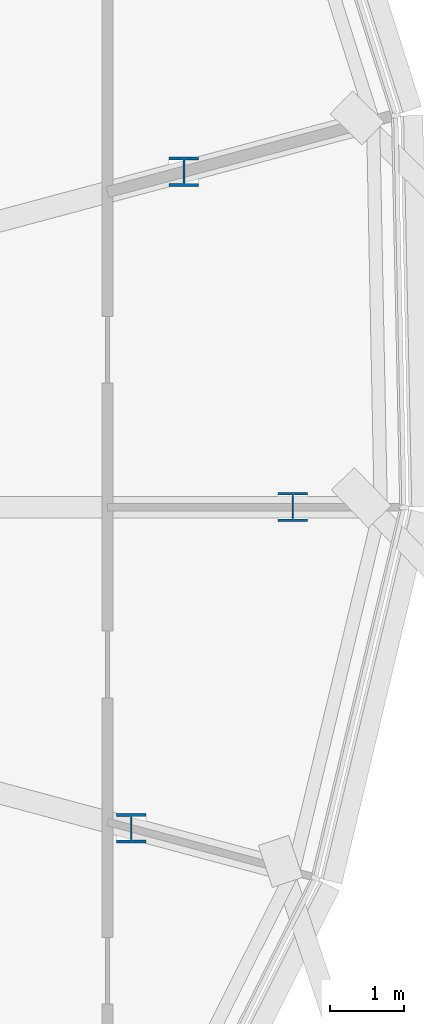
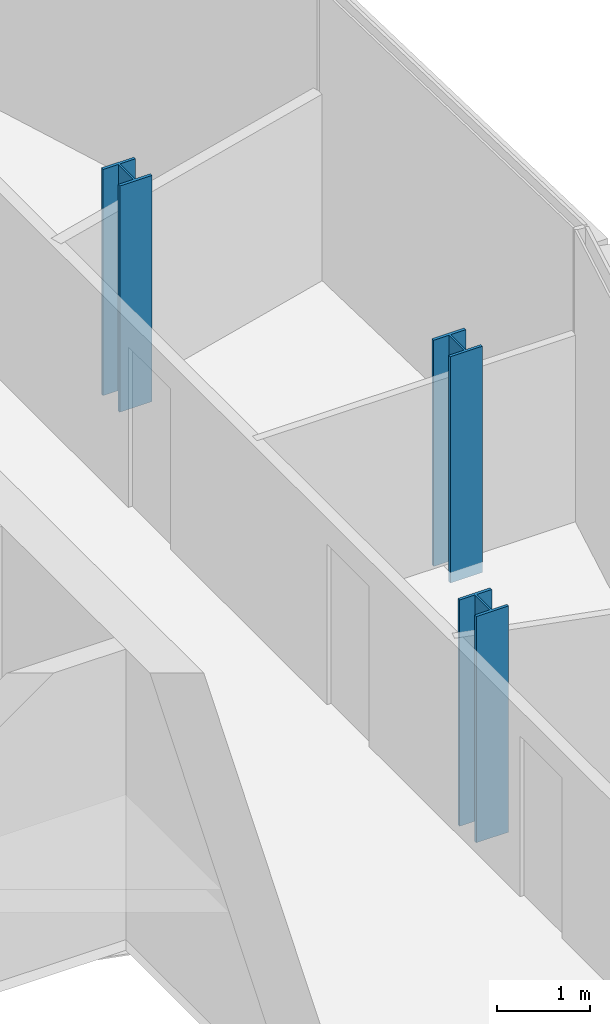
# One storey, part 2 of 38: 3 columns.
"""IFC4 building model written with IfcOpenShell, lengths in metres."""

from ifc_helpers import new_model, si_unit, direction, frame, origin, origin_2d, place, context, subcontext, project, spatial, i_section, extrude, material, material_profile, profile_set, type_object, element, save


model = new_model("IFC4")

# Units and contexts
model_context = context("Model", 3, precision=1e-05, world=origin(), true_north=direction((0.0, 1.0)))
body_context = subcontext(model_context, "Body", "Model", "MODEL_VIEW")
ifc_project = project(units=[si_unit("LENGTHUNIT", "METRE"), si_unit("AREAUNIT", "SQUARE_METRE"), si_unit("VOLUMEUNIT", "CUBIC_METRE"), si_unit("PLANEANGLEUNIT", "RADIAN"), si_unit("MASSUNIT", "GRAM", prefix="KILO")], contexts=[model_context])

# Site, building, storey
site_placement = place(None, origin())
site = spatial("IfcSite", under=ifc_project, at=site_placement, CompositionType="ELEMENT")
building_placement = place(site_placement, origin())
building = spatial("IfcBuilding", under=site, at=building_placement, Name="Rimbun Link Towers", CompositionType="ELEMENT")
storey_placement = place(building_placement, frame((0.0, 0.0, 218.10009765625)))
storey = spatial("IfcBuildingStorey", under=building, at=storey_placement, Name="L53", CompositionType="ELEMENT", Elevation=218.10009765625)

# Columns
ifc_material = material(Name="Steel S355J2", Category="steel")
ifc_material_profile = material_profile(ifc_material, i_section(OverallWidth=0.39892578125, OverallDepth=0.3935546875, WebThickness=0.022705078125, FlangeThickness=0.03662109375, at=origin_2d()), Name="UC 356x406x287")
ifc_profile_set = profile_set([ifc_material_profile], Name="Steel S355J2")
column_type = type_object("IfcColumnType", Name="UC 356x406x287", PredefinedType="COLUMN", material=ifc_profile_set)
for number, where, z_axis, x_axis, name in (
    (1, (47.955810546875, -4.34228515625, -0.14013671875), (0.0, 0.0, 1.0), (1.0, 0.0, 0.0), "Crease post T2 L53 20"),
    (2, (50.140869140625, 0.0, -0.14013671875), (0.0, 0.0, 1.0), (1.0, 0.0, 0.0), "Crease post T2 L53 21"),
    (3, (48.669189453125, 4.533447265625, -0.14013671875), (0.0, 0.0, 1.0), (1.0, 0.0, 0.0), "Crease post T2 L53 22"),
):
    element("IfcColumn", number, at=place(storey_placement, frame(where, z_axis=z_axis, x_axis=x_axis)), inside=storey, type_object=column_type, Name=name, PredefinedType="COLUMN", context=body_context, shape_type="SweptSolid", body=[
        extrude(i_section(OverallWidth=0.39892578125, OverallDepth=0.3935546875, WebThickness=0.022705078125, FlangeThickness=0.03662109375, at=origin_2d()), origin(), (0.0, 0.0, 1.0), 2.959228515625),
    ])

save(model, "model.ifc")
